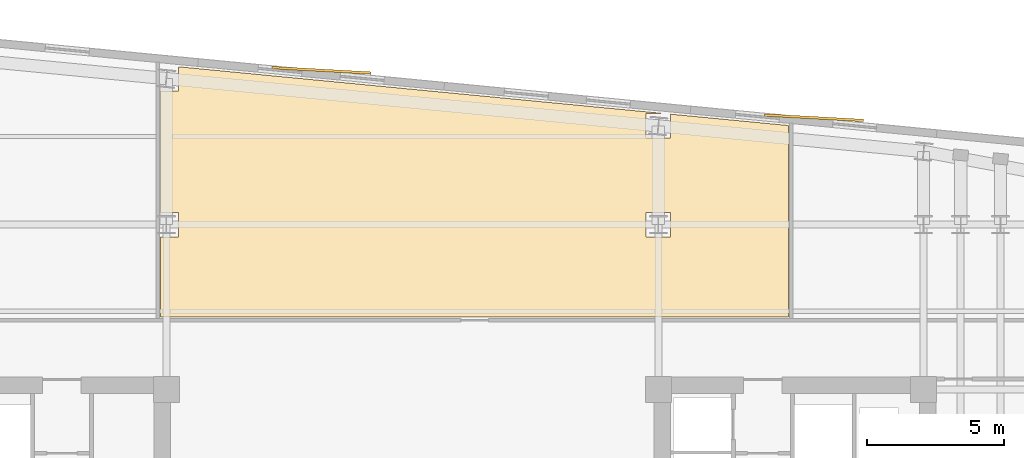
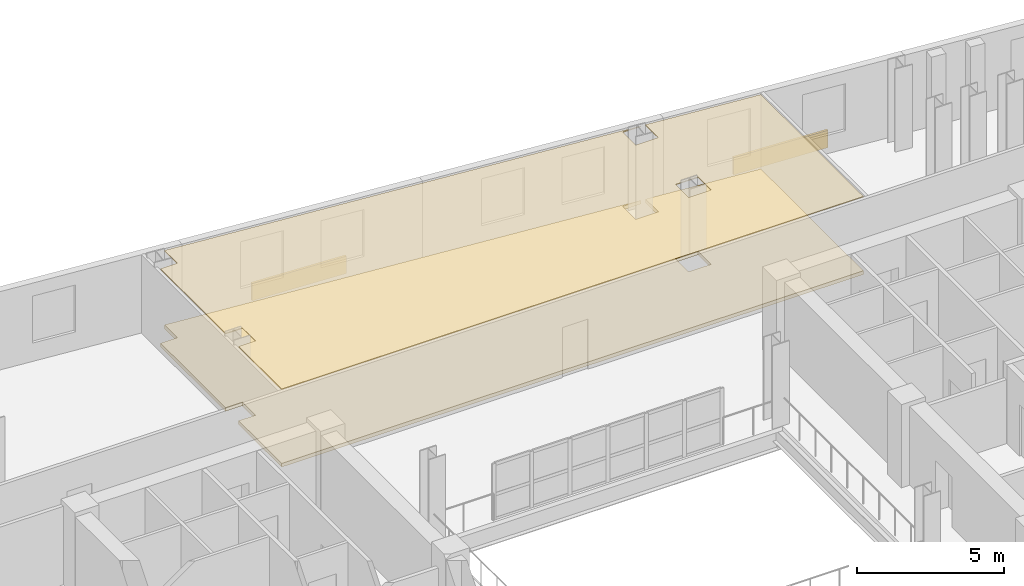
# One storey, part 11 of 11: 4 coverings.
"""IFC4 building model written with IfcOpenShell, lengths in metres."""

import ifcopenshell
import ifcopenshell.guid

model = None  # the IFC model being written
_history = None  # IfcOwnerHistory: only IFC2X3 demands one
_inside = {}  # id of a spatial element -> (the spatial element, [elements in it])
_under = {}  # id of a project, library or spatial element -> (it, [spatial elements below it])
_declared = {}  # id of a project -> (the project, [libraries it declares])
_typed = {}  # id of a type object -> (the type object, [elements of that type])
_made_of = {}  # id of a material, layer set ... -> (it, [elements and type objects made of it])


def new_model(schema):
    """Start an empty IFC model of exactly this schema.

    Asked for "IFC4X3", IfcOpenShell would pick the latest addendum, in which some entities
    have other attributes; the version numbers below select the first issue.
    IFC2X3 requires an IfcOwnerHistory on every rooted entity: one is made here for all.
    """
    global model, _history
    if schema == "IFC4X3":
        model = ifcopenshell.file(schema_version=(4, 3, 0, 0))
    else:
        model = ifcopenshell.file(schema=schema)
    _inside.clear()
    _under.clear()
    _declared.clear()
    _typed.clear()
    _made_of.clear()
    _history = None
    if model.schema == "IFC2X3":
        org = make("IfcOrganization", Name="unknown")
        user = make(
            "IfcPersonAndOrganization",
            ThePerson=make("IfcPerson", FamilyName="unknown"),
            TheOrganization=org,
        )
        app = make(
            "IfcApplication",
            ApplicationDeveloper=org,
            Version="unknown",
            ApplicationFullName="unknown",
            ApplicationIdentifier="unknown",
        )
        _history = make(
            "IfcOwnerHistory",
            OwningUser=user,
            OwningApplication=app,
            ChangeAction="ADDED",
            CreationDate=0,
        )
    return model


def make(cls, **values):
    """One entity of the class cls with the attributes given. An attribute that is None is left unset."""
    return model.create_entity(
        cls, **{name: value for name, value in values.items() if value is not None}
    )


def rooted(cls, **values):
    """An entity with a GlobalId (a new one), such as an element, a storey or a relation."""
    return make(cls, GlobalId=ifcopenshell.guid.new(), OwnerHistory=_history, **values)


def si_unit(unit_type, name, prefix=None):
    """IfcSIUnit, for example si_unit("LENGTHUNIT", "METRE", prefix="MILLI")."""
    return make("IfcSIUnit", UnitType=unit_type, Prefix=prefix, Name=name)


def assignment(units):
    """IfcUnitAssignment: the units of a project."""
    return None if units is None else make("IfcUnitAssignment", Units=units)


def point(xyz):
    """IfcCartesianPoint."""
    return None if xyz is None else make("IfcCartesianPoint", Coordinates=xyz)


def direction(xyz):
    """IfcDirection."""
    return None if xyz is None else make("IfcDirection", DirectionRatios=xyz)


def frame(location, z_axis=None, x_axis=None):
    """IfcAxis2Placement3D, a coordinate frame: its origin and axes. An axis left out is left unset."""
    return make(
        "IfcAxis2Placement3D",
        Location=point(location),
        Axis=direction(z_axis),
        RefDirection=direction(x_axis),
    )


def frame_2d(location, x_axis=None):
    """IfcAxis2Placement2D, a coordinate frame in the plane: its origin and x axis."""
    return make(
        "IfcAxis2Placement2D", Location=point(location), RefDirection=direction(x_axis)
    )


def origin():
    """The frame at (0, 0, 0) with its axes left unset."""
    return frame((0.0, 0.0, 0.0))


def origin_2d():
    """The frame at (0, 0) in the plane with its x axis left unset."""
    return frame_2d((0.0, 0.0))


def place(relative_to, where):
    """IfcLocalPlacement: puts the frame where relative to a parent placement (None: the world)."""
    return make(
        "IfcLocalPlacement", PlacementRelTo=relative_to, RelativePlacement=where
    )


def context(
    kind, dimensions, precision=None, world=None, true_north=None, identifier=None
):
    """IfcGeometricRepresentationContext, for example the 3D "Model" context."""
    return make(
        "IfcGeometricRepresentationContext",
        ContextIdentifier=identifier,
        ContextType=kind,
        CoordinateSpaceDimension=dimensions,
        Precision=precision,
        WorldCoordinateSystem=world,
        TrueNorth=true_north,
    )


def subcontext(parent, identifier, kind, view, scale=None):
    """IfcGeometricRepresentationSubContext, for example "Body" below "Model"."""
    return make(
        "IfcGeometricRepresentationSubContext",
        ContextIdentifier=identifier,
        ContextType=kind,
        ParentContext=parent,
        TargetScale=scale,
        TargetView=view,
    )


def project(units=None, contexts=None):
    """IfcProject with its units and contexts."""
    return rooted(
        "IfcProject",
        Name="project",
        RepresentationContexts=contexts,
        UnitsInContext=assignment(units),
    )


def spatial(cls, under=None, at=None, **own):
    """A site, building, storey or space (cls), placed at a placement, below another one or the project."""
    s = rooted(cls, ObjectPlacement=at, **own)
    if under is not None:
        _under.setdefault(under.id(), (under, []))[1].append(s)
    return s


def polyline(points):
    """IfcPolyline through the points."""
    return make("IfcPolyline", Points=[point(p) for p in points])


def profile(cls, at=None, kind="AREA", **sizes):
    """A parametric profile (cls). Its sizes go by their IFC names, for example OverallWidth=200.0."""
    return make(cls, ProfileType=kind, Position=at, **sizes)


def rectangle(**sizes):
    """IfcRectangleProfileDef."""
    return profile("IfcRectangleProfileDef", **sizes)


def outline(outer, holes=None, kind="AREA"):
    """IfcArbitraryClosedProfileDef: a profile drawn as a closed curve; with holes, ...WithVoids."""
    if holes is None:
        return make("IfcArbitraryClosedProfileDef", ProfileType=kind, OuterCurve=outer)
    return make(
        "IfcArbitraryProfileDefWithVoids",
        ProfileType=kind,
        OuterCurve=outer,
        InnerCurves=holes,
    )


def extrude(swept, where, along, depth):
    """IfcExtrudedAreaSolid: the profile swept, set in the frame where, extruded along a direction by depth."""
    return make(
        "IfcExtrudedAreaSolid",
        SweptArea=swept,
        Position=where,
        ExtrudedDirection=direction(along),
        Depth=depth,
    )


def shape(context_of_items, identifier, shape_type, items):
    """IfcShapeRepresentation: the items that make up one representation, for example the "Body"."""
    return make(
        "IfcShapeRepresentation",
        ContextOfItems=context_of_items,
        RepresentationIdentifier=identifier,
        RepresentationType=shape_type,
        Items=items,
    )


def material(Name=None, Category=None):
    """IfcMaterial."""
    return make("IfcMaterial", Name=Name, Category=Category)


def layer(
    of_material, thickness, ventilated=None, Name=None, Category=None, Priority=None
):
    """IfcMaterialLayer: one layer of a wall or slab, of a material (None: an air gap)."""
    return make(
        "IfcMaterialLayer",
        Material=of_material,
        LayerThickness=thickness,
        IsVentilated=ventilated,
        Name=Name,
        Category=Category,
        Priority=Priority,
    )


def layer_set(layers, Name=None):
    """IfcMaterialLayerSet."""
    return make("IfcMaterialLayerSet", MaterialLayers=layers, LayerSetName=Name)


def made_of(thing, what):
    """Note that an element or type object is made of a material, layer set ...; save() writes the relation."""
    if what is not None:
        _made_of.setdefault(what.id(), (what, []))[1].append(thing)
    return thing


def type_object(cls, material=None, **own):
    """A type object (cls), such as IfcWallType, which elements share."""
    return made_of(rooted(cls, **own), material)


def element(
    cls,
    number,
    at=None,
    inside=None,
    cuts=None,
    type_object=None,
    material=None,
    context=None,
    identifier="Body",
    shape_type=None,
    held_by="IfcProductDefinitionShape",
    body=None,
    shapes=None,
    **own,
):
    """One element of the class cls, such as IfcWall. Its Tag is "e" and its number.

    at: its placement. inside: the storey or other place that contains it. cuts: it is an
    opening in that element (IfcRelVoidsElement). A single representation is given by context,
    identifier, shape_type and body (its items); several are given by shapes. held_by: the class
    of the entity that holds the representations. save() writes the other relations.
    """
    e = rooted(cls, Tag="e%d" % number, ObjectPlacement=at, **own)
    if body is not None:
        shapes = [shape(context, identifier, shape_type, body)]
    if shapes is not None:
        e.Representation = make(held_by, Representations=shapes)
    if inside is not None:
        _inside.setdefault(inside.id(), (inside, []))[1].append(e)
    if cuts is not None:
        rooted(
            "IfcRelVoidsElement", RelatingBuildingElement=cuts, RelatedOpeningElement=e
        )
    if type_object is not None:
        _typed.setdefault(type_object.id(), (type_object, []))[1].append(e)
    return made_of(e, material)


def aggregate(whole, parts):
    """IfcRelAggregates: a whole, such as a stair, and the parts it consists of."""
    return rooted("IfcRelAggregates", RelatingObject=whole, RelatedObjects=parts)


def save(model, path):
    """Write the relations noted so far, then the file.

    IfcRelAggregates (storeys below a building ...), IfcRelContainedInSpatialStructure (elements
    in a storey), IfcRelDefinesByType, IfcRelAssociatesMaterial and IfcRelDeclares: one each for
    every whole, place, type object, material and project.
    """
    for whole, parts in _under.values():
        aggregate(whole, parts)
    for where, things in _inside.values():
        rooted(
            "IfcRelContainedInSpatialStructure",
            RelatedElements=things,
            RelatingStructure=where,
        )
    for kind, things in _typed.values():
        rooted("IfcRelDefinesByType", RelatedObjects=things, RelatingType=kind)
    for what, things in _made_of.values():
        rooted("IfcRelAssociatesMaterial", RelatedObjects=things, RelatingMaterial=what)
    for by, libraries in _declared.values():
        rooted("IfcRelDeclares", RelatingContext=by, RelatedDefinitions=libraries)
    model.write(path)


model = new_model("IFC4")

# Units and contexts
model_context = context("Model", 3, precision=1e-05, world=origin(), true_north=direction((0.0, 1.0)))
body_context = subcontext(model_context, "Body", "Model", "MODEL_VIEW")
ifc_project = project(units=[si_unit("LENGTHUNIT", "METRE"), si_unit("AREAUNIT", "SQUARE_METRE"), si_unit("VOLUMEUNIT", "CUBIC_METRE"), si_unit("PLANEANGLEUNIT", "RADIAN"), si_unit("MASSUNIT", "GRAM", prefix="KILO")], contexts=[model_context])

# Site, building, storey
site_placement = place(None, origin())
site = spatial("IfcSite", under=ifc_project, at=site_placement, CompositionType="ELEMENT")
building_placement = place(site_placement, origin())
building = spatial("IfcBuilding", under=site, at=building_placement, Name="Velakula Bourse", CompositionType="ELEMENT")
storey_placement = place(building_placement, frame((0.0, 0.0, 160.39990234375)))
storey = spatial("IfcBuildingStorey", under=building, at=storey_placement, Name="L43", CompositionType="ELEMENT", Elevation=160.39990234375)

# Coverings
ifc_material_1 = material(Name="Buff kilned clay facing brick masonry", Category="masonry")
ifc_layer_1 = layer(ifc_material_1, 0.074951171875, Name="Buff kilned clay facing brick masonry", Category="masonry")
ifc_layer_set_1 = layer_set([ifc_layer_1], Name="Buff kilned clay facing brick masonry")
covering_type_1 = type_object("IfcCoveringType", Name="COV-BRK-SPN-75", PredefinedType="CLADDING", material=ifc_layer_set_1)
for number, where, z_axis, x_axis, name in (
    (1, (-3.304931640625, 20.213623046875, 0.0), (0.0, 0.0, 1.0), (0.998489097451, -0.054950179912, 0.0), "L43 Folded Brick Facade Cladding Panel N-B2"),
    (2, (14.6123046875, 18.48828125, 0.0), (0.0, 0.0, 1.0), (0.998489097451, -0.054950179912, 0.0), "L43 Folded Brick Facade Cladding Panel N-B4"),
):
    element("IfcCovering", number, at=place(storey_placement, frame(where, z_axis=z_axis, x_axis=x_axis)), inside=storey, type_object=covering_type_1, Name=name, PredefinedType="CLADDING", context=body_context, shape_type="SweptSolid", body=[
        extrude(rectangle(XDim=3.60009765625, YDim=0.090087890625, at=origin_2d()), origin(), (0.0, 0.0, 1.0), 0.719970703125),
    ])
ifc_material_2 = material(Name="Mineral-fibre acoustic suspended ceiling tile", Category="mineral")
ifc_layer_2 = layer(ifc_material_2, 0.0400390625, Name="Mineral-fibre acoustic suspended ceiling tile", Category="mineral")
ifc_layer_set_2 = layer_set([ifc_layer_2], Name="Mineral-fibre acoustic suspended ceiling tile")
covering_type_2 = type_object("IfcCoveringType", Name="COV-CEIL-AC-40", PredefinedType="CEILING", material=ifc_layer_set_2)
covering_1_placement = place(storey_placement, frame((0.0, 0.0, 3.2001953125)))
element("IfcCovering", 3, at=covering_1_placement, inside=storey, type_object=covering_type_2, Name="L43 Yield Curve Seminar Room Acoustic Suspended Ceiling", PredefinedType="CEILING", context=body_context, shape_type="SweptSolid", body=[
    extrude(outline(polyline([(13.68505859375, 11.22998046875), (-9.159912109375, 11.22998046875), (-9.159912109375, 14.155029296875), (-8.5048828125, 14.155029296875), (-8.5048828125, 15.044921875), (-9.159912109375, 15.044921875), (-9.159912109375, 19.46826171875), (-8.5048828125, 19.46826171875), (-8.5048828125, 20.342529296875), (9.232421875, 18.634765625), (8.5048828125, 18.634765625), (8.5048828125, 17.74462890625), (9.39501953125, 17.74462890625), (9.39501953125, 18.618896484375), (13.68505859375, 18.2060546875), (13.68505859375, 11.22998046875)]), holes=[polyline([(8.5048828125, 15.044921875), (8.5048828125, 14.155029296875), (9.39501953125, 14.155029296875), (9.39501953125, 15.044921875), (8.5048828125, 15.044921875)])]), origin(), (0.0, 0.0, 1.0), 0.039794921875),
])
ifc_material_3 = material(Name="Calcium-sulphate antistatic raised access flooring", Category="gypsum")
ifc_layer_3 = layer(ifc_material_3, 0.14990234375, Name="Calcium-sulphate antistatic raised access flooring", Category="gypsum")
ifc_layer_set_3 = layer_set([ifc_layer_3], Name="Calcium-sulphate antistatic raised access flooring")
covering_type_3 = type_object("IfcCoveringType", Name="COV-FLR-RAISED-150", PredefinedType="FLOORING", material=ifc_layer_set_3)
covering_2_placement = place(storey_placement, origin())
element("IfcCovering", 4, at=covering_2_placement, inside=storey, type_object=covering_type_3, Name="L43 Yield Curve Seminar Room Raised Trading Access Floor", PredefinedType="FLOORING", context=body_context, shape_type="SweptSolid", body=[
    extrude(outline(polyline([(13.68505859375, 11.22998046875), (-9.159912109375, 11.22998046875), (-9.159912109375, 14.155029296875), (-8.5048828125, 14.155029296875), (-8.5048828125, 15.044921875), (-9.159912109375, 15.044921875), (-9.159912109375, 19.46826171875), (-8.5048828125, 19.46826171875), (-8.5048828125, 20.342529296875), (9.232421875, 18.634765625), (8.5048828125, 18.634765625), (8.5048828125, 17.74462890625), (9.39501953125, 17.74462890625), (9.39501953125, 18.618896484375), (13.68505859375, 18.2060546875), (13.68505859375, 11.22998046875)]), holes=[polyline([(8.5048828125, 15.044921875), (8.5048828125, 14.155029296875), (9.39501953125, 14.155029296875), (9.39501953125, 15.044921875), (8.5048828125, 15.044921875)])]), origin(), (0.0, 0.0, 1.0), 0.150146484375),
])

save(model, "model.ifc")
